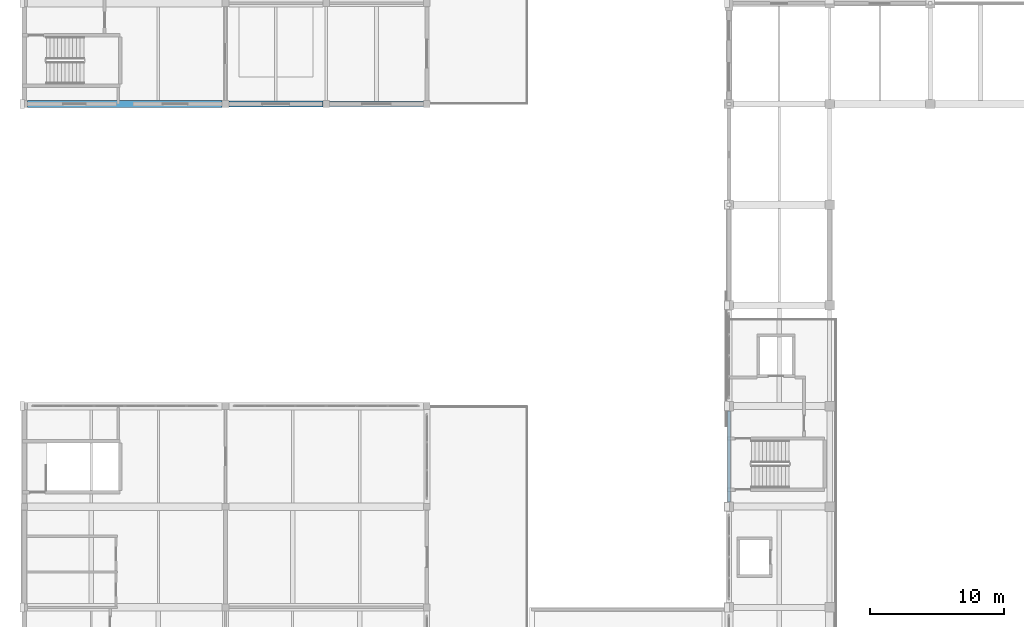
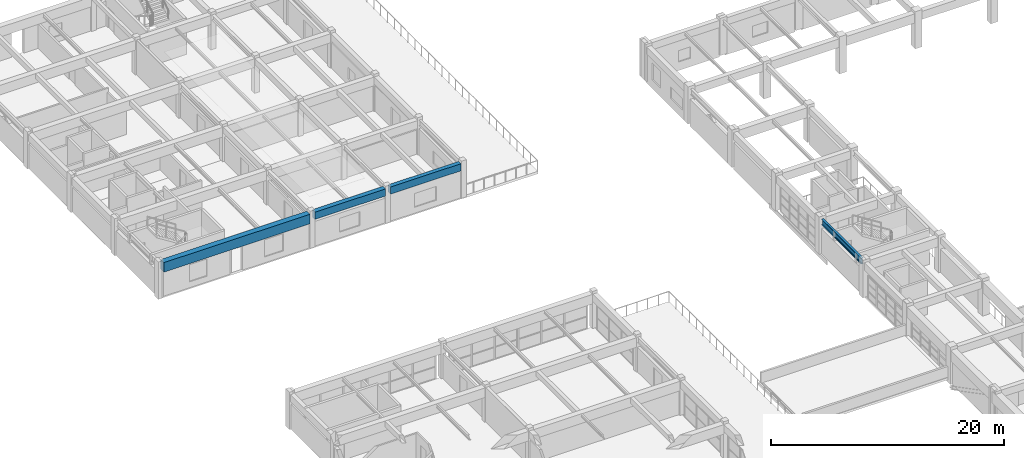
# One storey, part 22 of 82: 4 beams.
"""IFC4 building model written with IfcOpenShell, lengths in metres."""

import ifcopenshell
import ifcopenshell.guid

model = None  # the IFC model being written
_history = None  # IfcOwnerHistory: only IFC2X3 demands one
_inside = {}  # id of a spatial element -> (the spatial element, [elements in it])
_under = {}  # id of a project, library or spatial element -> (it, [spatial elements below it])
_declared = {}  # id of a project -> (the project, [libraries it declares])
_typed = {}  # id of a type object -> (the type object, [elements of that type])
_made_of = {}  # id of a material, layer set ... -> (it, [elements and type objects made of it])


def new_model(schema):
    """Start an empty IFC model of exactly this schema.

    Asked for "IFC4X3", IfcOpenShell would pick the latest addendum, in which some entities
    have other attributes; the version numbers below select the first issue.
    IFC2X3 requires an IfcOwnerHistory on every rooted entity: one is made here for all.
    """
    global model, _history
    if schema == "IFC4X3":
        model = ifcopenshell.file(schema_version=(4, 3, 0, 0))
    else:
        model = ifcopenshell.file(schema=schema)
    _inside.clear()
    _under.clear()
    _declared.clear()
    _typed.clear()
    _made_of.clear()
    _history = None
    if model.schema == "IFC2X3":
        org = make("IfcOrganization", Name="unknown")
        user = make(
            "IfcPersonAndOrganization",
            ThePerson=make("IfcPerson", FamilyName="unknown"),
            TheOrganization=org,
        )
        app = make(
            "IfcApplication",
            ApplicationDeveloper=org,
            Version="unknown",
            ApplicationFullName="unknown",
            ApplicationIdentifier="unknown",
        )
        _history = make(
            "IfcOwnerHistory",
            OwningUser=user,
            OwningApplication=app,
            ChangeAction="ADDED",
            CreationDate=0,
        )
    return model


def make(cls, **values):
    """One entity of the class cls with the attributes given. An attribute that is None is left unset."""
    return model.create_entity(
        cls, **{name: value for name, value in values.items() if value is not None}
    )


def rooted(cls, **values):
    """An entity with a GlobalId (a new one), such as an element, a storey or a relation."""
    return make(cls, GlobalId=ifcopenshell.guid.new(), OwnerHistory=_history, **values)


def si_unit(unit_type, name, prefix=None):
    """IfcSIUnit, for example si_unit("LENGTHUNIT", "METRE", prefix="MILLI")."""
    return make("IfcSIUnit", UnitType=unit_type, Prefix=prefix, Name=name)


def assignment(units):
    """IfcUnitAssignment: the units of a project."""
    return None if units is None else make("IfcUnitAssignment", Units=units)


def point(xyz):
    """IfcCartesianPoint."""
    return None if xyz is None else make("IfcCartesianPoint", Coordinates=xyz)


def direction(xyz):
    """IfcDirection."""
    return None if xyz is None else make("IfcDirection", DirectionRatios=xyz)


def frame(location, z_axis=None, x_axis=None):
    """IfcAxis2Placement3D, a coordinate frame: its origin and axes. An axis left out is left unset."""
    return make(
        "IfcAxis2Placement3D",
        Location=point(location),
        Axis=direction(z_axis),
        RefDirection=direction(x_axis),
    )


def frame_2d(location, x_axis=None):
    """IfcAxis2Placement2D, a coordinate frame in the plane: its origin and x axis."""
    return make(
        "IfcAxis2Placement2D", Location=point(location), RefDirection=direction(x_axis)
    )


def origin():
    """The frame at (0, 0, 0) with its axes left unset."""
    return frame((0.0, 0.0, 0.0))


def origin_2d():
    """The frame at (0, 0) in the plane with its x axis left unset."""
    return frame_2d((0.0, 0.0))


def place(relative_to, where):
    """IfcLocalPlacement: puts the frame where relative to a parent placement (None: the world)."""
    return make(
        "IfcLocalPlacement", PlacementRelTo=relative_to, RelativePlacement=where
    )


def context(
    kind, dimensions, precision=None, world=None, true_north=None, identifier=None
):
    """IfcGeometricRepresentationContext, for example the 3D "Model" context."""
    return make(
        "IfcGeometricRepresentationContext",
        ContextIdentifier=identifier,
        ContextType=kind,
        CoordinateSpaceDimension=dimensions,
        Precision=precision,
        WorldCoordinateSystem=world,
        TrueNorth=true_north,
    )


def subcontext(parent, identifier, kind, view, scale=None):
    """IfcGeometricRepresentationSubContext, for example "Body" below "Model"."""
    return make(
        "IfcGeometricRepresentationSubContext",
        ContextIdentifier=identifier,
        ContextType=kind,
        ParentContext=parent,
        TargetScale=scale,
        TargetView=view,
    )


def project(units=None, contexts=None):
    """IfcProject with its units and contexts."""
    return rooted(
        "IfcProject",
        Name="project",
        RepresentationContexts=contexts,
        UnitsInContext=assignment(units),
    )


def spatial(cls, under=None, at=None, **own):
    """A site, building, storey or space (cls), placed at a placement, below another one or the project."""
    s = rooted(cls, ObjectPlacement=at, **own)
    if under is not None:
        _under.setdefault(under.id(), (under, []))[1].append(s)
    return s


def profile(cls, at=None, kind="AREA", **sizes):
    """A parametric profile (cls). Its sizes go by their IFC names, for example OverallWidth=200.0."""
    return make(cls, ProfileType=kind, Position=at, **sizes)


def rectangle(**sizes):
    """IfcRectangleProfileDef."""
    return profile("IfcRectangleProfileDef", **sizes)


def i_section(**sizes):
    """IfcIShapeProfileDef."""
    return profile("IfcIShapeProfileDef", **sizes)


def extrude(swept, where, along, depth):
    """IfcExtrudedAreaSolid: the profile swept, set in the frame where, extruded along a direction by depth."""
    return make(
        "IfcExtrudedAreaSolid",
        SweptArea=swept,
        Position=where,
        ExtrudedDirection=direction(along),
        Depth=depth,
    )


def shape(context_of_items, identifier, shape_type, items):
    """IfcShapeRepresentation: the items that make up one representation, for example the "Body"."""
    return make(
        "IfcShapeRepresentation",
        ContextOfItems=context_of_items,
        RepresentationIdentifier=identifier,
        RepresentationType=shape_type,
        Items=items,
    )


def material(Name=None, Category=None):
    """IfcMaterial."""
    return make("IfcMaterial", Name=Name, Category=Category)


def material_profile(
    of_material, cross_section, Name=None, Category=None, Priority=None
):
    """IfcMaterialProfile: a cross section and its material."""
    return make(
        "IfcMaterialProfile",
        Name=Name,
        Material=of_material,
        Profile=cross_section,
        Priority=Priority,
        Category=Category,
    )


def profile_set(profiles, Name=None, composite=None):
    """IfcMaterialProfileSet."""
    return make(
        "IfcMaterialProfileSet",
        Name=Name,
        MaterialProfiles=profiles,
        CompositeProfile=composite,
    )


def made_of(thing, what):
    """Note that an element or type object is made of a material, layer set ...; save() writes the relation."""
    if what is not None:
        _made_of.setdefault(what.id(), (what, []))[1].append(thing)
    return thing


def type_object(cls, material=None, **own):
    """A type object (cls), such as IfcWallType, which elements share."""
    return made_of(rooted(cls, **own), material)


def element(
    cls,
    number,
    at=None,
    inside=None,
    cuts=None,
    type_object=None,
    material=None,
    context=None,
    identifier="Body",
    shape_type=None,
    held_by="IfcProductDefinitionShape",
    body=None,
    shapes=None,
    **own,
):
    """One element of the class cls, such as IfcWall. Its Tag is "e" and its number.

    at: its placement. inside: the storey or other place that contains it. cuts: it is an
    opening in that element (IfcRelVoidsElement). A single representation is given by context,
    identifier, shape_type and body (its items); several are given by shapes. held_by: the class
    of the entity that holds the representations. save() writes the other relations.
    """
    e = rooted(cls, Tag="e%d" % number, ObjectPlacement=at, **own)
    if body is not None:
        shapes = [shape(context, identifier, shape_type, body)]
    if shapes is not None:
        e.Representation = make(held_by, Representations=shapes)
    if inside is not None:
        _inside.setdefault(inside.id(), (inside, []))[1].append(e)
    if cuts is not None:
        rooted(
            "IfcRelVoidsElement", RelatingBuildingElement=cuts, RelatedOpeningElement=e
        )
    if type_object is not None:
        _typed.setdefault(type_object.id(), (type_object, []))[1].append(e)
    return made_of(e, material)


def aggregate(whole, parts):
    """IfcRelAggregates: a whole, such as a stair, and the parts it consists of."""
    return rooted("IfcRelAggregates", RelatingObject=whole, RelatedObjects=parts)


def save(model, path):
    """Write the relations noted so far, then the file.

    IfcRelAggregates (storeys below a building ...), IfcRelContainedInSpatialStructure (elements
    in a storey), IfcRelDefinesByType, IfcRelAssociatesMaterial and IfcRelDeclares: one each for
    every whole, place, type object, material and project.
    """
    for whole, parts in _under.values():
        aggregate(whole, parts)
    for where, things in _inside.values():
        rooted(
            "IfcRelContainedInSpatialStructure",
            RelatedElements=things,
            RelatingStructure=where,
        )
    for kind, things in _typed.values():
        rooted("IfcRelDefinesByType", RelatedObjects=things, RelatingType=kind)
    for what, things in _made_of.values():
        rooted("IfcRelAssociatesMaterial", RelatedObjects=things, RelatingMaterial=what)
    for by, libraries in _declared.values():
        rooted("IfcRelDeclares", RelatingContext=by, RelatedDefinitions=libraries)
    model.write(path)


model = new_model("IFC4")

# Units and contexts
model_context = context("Model", 3, precision=1e-05, world=origin(), true_north=direction((0.0, 1.0)))
body_context = subcontext(model_context, "Body", "Model", "MODEL_VIEW")
ifc_project = project(units=[si_unit("LENGTHUNIT", "METRE"), si_unit("AREAUNIT", "SQUARE_METRE"), si_unit("VOLUMEUNIT", "CUBIC_METRE"), si_unit("PLANEANGLEUNIT", "RADIAN"), si_unit("MASSUNIT", "GRAM", prefix="KILO")], contexts=[model_context])

# Site, building, storey
site_placement = place(None, origin())
site = spatial("IfcSite", under=ifc_project, at=site_placement, CompositionType="ELEMENT")
building_placement = place(site_placement, origin())
building = spatial("IfcBuilding", under=site, at=building_placement, Name="Qasida Concert Hall", CompositionType="ELEMENT")
storey_placement = place(building_placement, frame((0.0, 0.0, 17.10009765625)))
storey = spatial("IfcBuildingStorey", under=building, at=storey_placement, Name="L04", CompositionType="ELEMENT", Elevation=17.10009765625)

# Beams
ifc_material_1 = material(Name="Concrete C40/50", Category="concrete")
ifc_material_profile_1 = material_profile(ifc_material_1, rectangle(XDim=0.550048828125, YDim=1.0, at=origin_2d()), Name="RC 550x1000")
ifc_profile_set_1 = profile_set([ifc_material_profile_1], Name="Concrete C40/50")
beam_type_1 = type_object("IfcBeamType", Name="BM-G3", PredefinedType="USERDEFINED", material=ifc_profile_set_1)
beam_1_placement = place(storey_placement, frame((0.25, 75.0, 3.119873046875), z_axis=(1.0, 0.0, 0.0), x_axis=(0.0, 1.0, 0.0)))
element("IfcBeam", 1, at=beam_1_placement, inside=storey, type_object=beam_type_1, Name="Primary girder 1931", ObjectType="GIRDER", PredefinedType="USERDEFINED", context=body_context, shape_type="SweptSolid", body=[
    extrude(rectangle(XDim=0.550048828125, YDim=1.0, at=origin_2d()), origin(), (0.0, 0.0, 1.0), 14.5),
])
ifc_material_profile_2 = material_profile(ifc_material_1, rectangle(XDim=0.39990234375, YDim=0.75, at=origin_2d()), Name="RC 400x750")
ifc_profile_set_2 = profile_set([ifc_material_profile_2], Name="Concrete C40/50")
beam_type_2 = type_object("IfcBeamType", Name="BM-SP1", PredefinedType="SPANDREL", material=ifc_profile_set_2)
beam_2_placement = place(storey_placement, frame((22.75, 75.0, 3.244873046875), z_axis=(1.0, 0.0, 0.0), x_axis=(0.0, 1.0, 0.0)))
element("IfcBeam", 2, at=beam_2_placement, inside=storey, type_object=beam_type_2, Name="Primary girder 1933", PredefinedType="SPANDREL", context=body_context, shape_type="SweptSolid", body=[
    extrude(rectangle(XDim=0.39990234375, YDim=0.75, at=origin_2d()), origin(), (0.0, 0.0, 1.0), 7.0),
])
ifc_material_2 = material(Name="Steel S355J2", Category="steel")
ifc_material_profile_3 = material_profile(ifc_material_2, i_section(OverallWidth=0.219970703125, OverallDepth=0.60009765625, WebThickness=0.011962890625, FlangeThickness=0.01904296875, FilletRadius=0.02392578125, at=origin_2d()), Name="IPE 600")
ifc_profile_set_3 = profile_set([ifc_material_profile_3], Name="Steel S355J2")
beam_type_3 = type_object("IfcBeamType", Name="BM-SP3", PredefinedType="SPANDREL", material=ifc_profile_set_3)
beam_3_placement = place(storey_placement, frame((52.5, 45.35009765625, 3.31982421875), z_axis=(0.0, 1.0, 0.0), x_axis=(-1.0, 0.0, 0.0)))
element("IfcBeam", 3, at=beam_3_placement, inside=storey, type_object=beam_type_3, Name="L04 girder 1840", PredefinedType="SPANDREL", context=body_context, shape_type="SweptSolid", body=[
    extrude(i_section(OverallWidth=0.219970703125, OverallDepth=0.60009765625, WebThickness=0.011962890625, FlangeThickness=0.01904296875, FilletRadius=0.02392578125, at=origin_2d()), origin(), (0.0, 0.0, 1.0), 6.7998046875),
])
ifc_material_profile_4 = material_profile(ifc_material_1, rectangle(XDim=0.449951171875, YDim=0.75, at=origin_2d()), Name="RC 450x750")
ifc_profile_set_4 = profile_set([ifc_material_profile_4], Name="Concrete C40/50")
beam_type_4 = type_object("IfcBeamType", Name="BM-SP4", PredefinedType="SPANDREL", material=ifc_profile_set_4)
beam_4_placement = place(storey_placement, frame((15.25, 75.0, 3.244873046875), z_axis=(1.0, 0.0, 0.0), x_axis=(0.0, 1.0, 0.0)))
element("IfcBeam", 4, at=beam_4_placement, inside=storey, type_object=beam_type_4, Name="Primary girder 1932", PredefinedType="SPANDREL", context=body_context, shape_type="SweptSolid", body=[
    extrude(rectangle(XDim=0.449951171875, YDim=0.75, at=origin_2d()), origin(), (0.0, 0.0, 1.0), 7.0),
])

save(model, "model.ifc")
